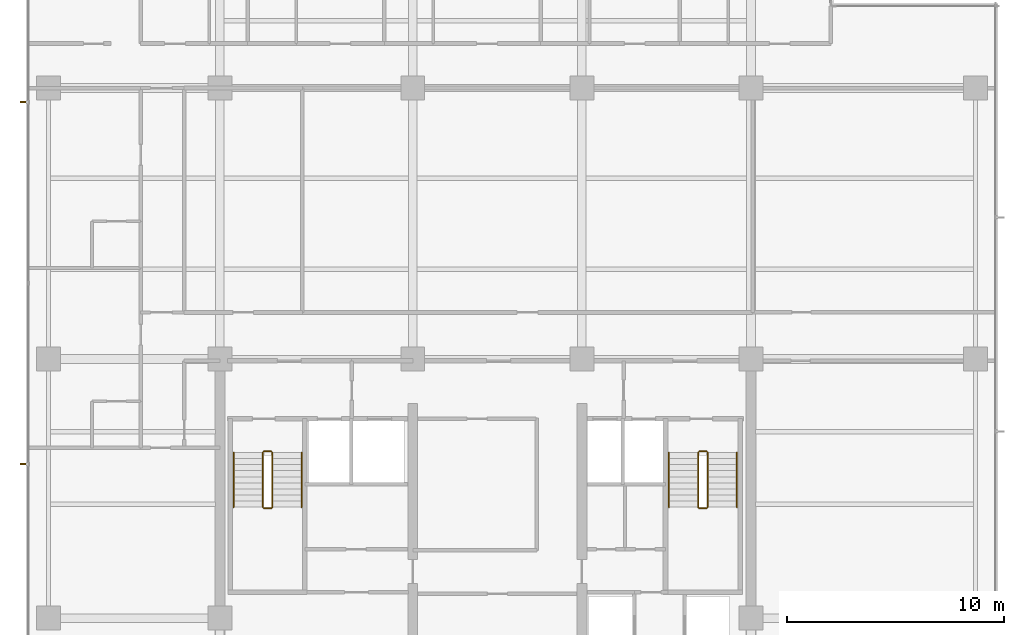
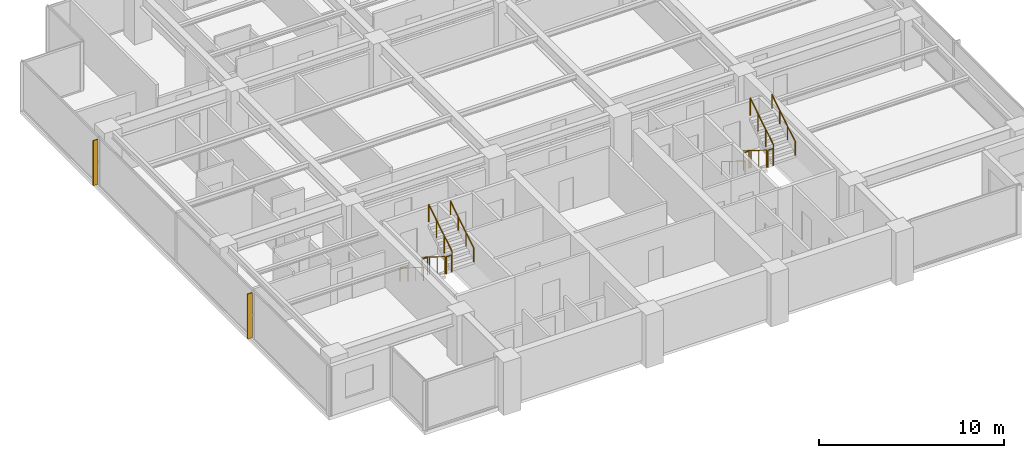
# One storey, part 14 of 15: 12 railings, 2 shading devices.
"""IFC4 building model written with IfcOpenShell, lengths in metres."""

from ifc_helpers import new_model, si_unit, direction, frame, origin, origin_2d, place, context, subcontext, project, spatial, polyline, circle, outline, extrude, material, layer, layer_set, type_object, element, save


model = new_model("IFC4")

# Units and contexts
model_context = context("Model", 3, precision=1e-05, world=origin(), true_north=direction((0.0, 1.0)))
body_context = subcontext(model_context, "Body", "Model", "MODEL_VIEW")
ifc_project = project(units=[si_unit("LENGTHUNIT", "METRE"), si_unit("AREAUNIT", "SQUARE_METRE"), si_unit("VOLUMEUNIT", "CUBIC_METRE"), si_unit("PLANEANGLEUNIT", "RADIAN"), si_unit("MASSUNIT", "GRAM", prefix="KILO")], contexts=[model_context])

# Site, building, storey
site_placement = place(None, origin())
site = spatial("IfcSite", under=ifc_project, at=site_placement, CompositionType="ELEMENT")
building_placement = place(site_placement, origin())
building = spatial("IfcBuilding", under=site, at=building_placement, Name="Qalmaran Belvedere Hotel", CompositionType="ELEMENT")
storey_placement = place(building_placement, frame((0.0, 0.0, 170.10009765625)))
storey = spatial("IfcBuildingStorey", under=building, at=storey_placement, Name="L43", CompositionType="ELEMENT", Elevation=170.10009765625)

# Shading devices
ifc_material_1 = material(Name="Anodised Bronze Aluminium", Category="aluminium")
ifc_layer = layer(ifc_material_1, 0.06494140625, Name="Anodised Bronze Aluminium")
ifc_layer_set = layer_set([ifc_layer], Name="Anodised Bronze Aluminium")
shading_device_type = type_object("IfcShadingDeviceType", Name="FIN-BRNZ-300", PredefinedType="USERDEFINED", material=ifc_layer_set)
shading_device_1_placement = place(storey_placement, frame((0.0, 0.0, 0.159912109375)))
element("IfcShadingDevice", 1, at=shading_device_1_placement, inside=storey, type_object=shading_device_type, Name="L43 Bronze Fin 1", ObjectType="FIN", PredefinedType="USERDEFINED", context=body_context, shape_type="SweptSolid", body=[
    extrude(outline(polyline([(11.3798828125, 32.382568359375), (11.080078125, 32.382568359375), (11.080078125, 32.3173828125), (11.3798828125, 32.3173828125), (11.3798828125, 32.382568359375)])), origin(), (0.0, 0.0, 1.0), 2.969970703125),
])
shading_device_2_placement = place(storey_placement, frame((0.0, 0.0, 0.159912109375)))
element("IfcShadingDevice", 2, at=shading_device_2_placement, inside=storey, type_object=shading_device_type, Name="L43 Bronze Fin 3", ObjectType="FIN", PredefinedType="USERDEFINED", context=body_context, shape_type="SweptSolid", body=[
    extrude(outline(polyline([(11.3798828125, 15.6826171875), (11.080078125, 15.6826171875), (11.080078125, 15.617431640625), (11.3798828125, 15.617431640625), (11.3798828125, 15.6826171875)])), origin(), (0.0, 0.0, 1.0), 2.969970703125),
])

# Railings
ifc_material_2 = material(Name="Stainless Steel 1.4401", Category="steel")
railing_type_1 = type_object("IfcRailingType", Name="RLG-STAIR-GUARD-1150", PredefinedType="GUARDRAIL", material=ifc_material_2)
railing_1_placement = place(storey_placement, frame((22.280029296875, 16.18994140625, 0.1748046875)))
element("IfcRailing", 3, at=railing_1_placement, inside=storey, type_object=railing_type_1, Name="L43 ST-1 stair guard 1", PredefinedType="GUARDRAIL", context=body_context, shape_type="SweptSolid", body=[
    extrude(circle(Radius=0.02392578125, at=origin_2d()), frame((0.0, 0.0, 1.1259765625), z_axis=(0.0, -0.847970611238, 0.530043245855), x_axis=(1.0, 0.0, 0.0)), (0.0, 0.0, 1.0), 2.971923828125),
    extrude(circle(Radius=0.02099609375, at=origin_2d()), origin(), (0.0, 0.0, 1.0), 1.101806640625),
    extrude(circle(Radius=0.02099609375, at=origin_2d()), frame((0.0, -0.840087890625, 0.525146484375)), (0.0, 0.0, 1.0), 1.101806640625),
    extrude(circle(Radius=0.02099609375, at=origin_2d()), frame((0.0, -1.679931640625, 1.050048828125)), (0.0, 0.0, 1.0), 1.101806640625),
    extrude(circle(Radius=0.02099609375, at=origin_2d()), frame((0.0, -2.52001953125, 1.5751953125)), (0.0, 0.0, 1.0), 1.101806640625),
])
railing_2_placement = place(storey_placement, frame((22.330078125, 13.6201171875, 1.75)))
element("IfcRailing", 4, at=railing_2_placement, inside=storey, type_object=railing_type_1, Name="L43 ST-1 stair guard 2", PredefinedType="GUARDRAIL", context=body_context, shape_type="SweptSolid", body=[
    extrude(circle(Radius=0.02392578125, at=origin_2d()), frame((0.0, 0.0, 1.1259765625), z_axis=(1.0, 0.0, 0.0), x_axis=(0.0, 1.0, 0.0)), (0.0, 0.0, 1.0), 0.33984375),
    extrude(circle(Radius=0.02099609375, at=origin_2d()), origin(), (0.0, 0.0, 1.0), 1.101806640625),
    extrude(circle(Radius=0.02099609375, at=origin_2d()), frame((0.33984375, 0.0, 0.0)), (0.0, 0.0, 1.0), 1.101806640625),
])
railing_3_placement = place(storey_placement, frame((22.719970703125, 13.669921875, 1.9248046875)))
element("IfcRailing", 5, at=railing_3_placement, inside=storey, type_object=railing_type_1, Name="L43 ST-1 stair guard 3", PredefinedType="GUARDRAIL", context=body_context, shape_type="SweptSolid", body=[
    extrude(circle(Radius=0.02392578125, at=origin_2d()), frame((0.0, 0.0, 1.1259765625), z_axis=(0.0, 0.847970611238, 0.530043245855), x_axis=(-1.0, 0.0, 0.0)), (0.0, 0.0, 1.0), 2.971923828125),
    extrude(circle(Radius=0.02099609375, at=origin_2d()), origin(), (0.0, 0.0, 1.0), 1.101806640625),
    extrude(circle(Radius=0.02099609375, at=origin_2d()), frame((0.0, 0.840087890625, 0.525146484375)), (0.0, 0.0, 1.0), 1.101806640625),
    extrude(circle(Radius=0.02099609375, at=origin_2d()), frame((0.0, 1.679931640625, 1.050048828125)), (0.0, 0.0, 1.0), 1.101806640625),
    extrude(circle(Radius=0.02099609375, at=origin_2d()), frame((0.0, 2.52001953125, 1.5751953125)), (0.0, 0.0, 1.0), 1.101806640625),
])
railing_4_placement = place(storey_placement, frame((22.330078125, 16.239990234375, 0.0)))
element("IfcRailing", 6, at=railing_4_placement, inside=storey, type_object=railing_type_1, Name="L43 ST-1 stair guard 4", PredefinedType="GUARDRAIL", context=body_context, shape_type="SweptSolid", body=[
    extrude(circle(Radius=0.02392578125, at=origin_2d()), frame((0.0, 0.0, 1.1259765625), z_axis=(1.0, 0.0, 0.0), x_axis=(0.0, 1.0, 0.0)), (0.0, 0.0, 1.0), 0.33984375),
    extrude(circle(Radius=0.02099609375, at=origin_2d()), origin(), (0.0, 0.0, 1.0), 1.101806640625),
    extrude(circle(Radius=0.02099609375, at=origin_2d()), frame((0.33984375, 0.0, 0.0)), (0.0, 0.0, 1.0), 1.101806640625),
])
railing_5_placement = place(storey_placement, frame((42.360107421875, 16.18994140625, 0.1748046875)))
element("IfcRailing", 7, at=railing_5_placement, inside=storey, type_object=railing_type_1, Name="L43 ST-2 stair guard 1", PredefinedType="GUARDRAIL", context=body_context, shape_type="SweptSolid", body=[
    extrude(circle(Radius=0.02392578125, at=origin_2d()), frame((0.0, 0.0, 1.1259765625), z_axis=(0.0, -0.847970611238, 0.530043245855), x_axis=(1.0, 0.0, 0.0)), (0.0, 0.0, 1.0), 2.971923828125),
    extrude(circle(Radius=0.02099609375, at=origin_2d()), origin(), (0.0, 0.0, 1.0), 1.101806640625),
    extrude(circle(Radius=0.02099609375, at=origin_2d()), frame((0.0, -0.840087890625, 0.525146484375)), (0.0, 0.0, 1.0), 1.101806640625),
    extrude(circle(Radius=0.02099609375, at=origin_2d()), frame((0.0, -1.679931640625, 1.050048828125)), (0.0, 0.0, 1.0), 1.101806640625),
    extrude(circle(Radius=0.02099609375, at=origin_2d()), frame((0.0, -2.52001953125, 1.5751953125)), (0.0, 0.0, 1.0), 1.101806640625),
])
railing_6_placement = place(storey_placement, frame((42.409912109375, 13.6201171875, 1.75)))
element("IfcRailing", 8, at=railing_6_placement, inside=storey, type_object=railing_type_1, Name="L43 ST-2 stair guard 2", PredefinedType="GUARDRAIL", context=body_context, shape_type="SweptSolid", body=[
    extrude(circle(Radius=0.02392578125, at=origin_2d()), frame((0.0, 0.0, 1.1259765625), z_axis=(1.0, 0.0, 0.0), x_axis=(0.0, 1.0, 0.0)), (0.0, 0.0, 1.0), 0.340087890625),
    extrude(circle(Radius=0.02099609375, at=origin_2d()), origin(), (0.0, 0.0, 1.0), 1.101806640625),
    extrude(circle(Radius=0.02099609375, at=origin_2d()), frame((0.340087890625, 0.0, 0.0)), (0.0, 0.0, 1.0), 1.101806640625),
])
railing_7_placement = place(storey_placement, frame((42.800048828125, 13.669921875, 1.9248046875)))
element("IfcRailing", 9, at=railing_7_placement, inside=storey, type_object=railing_type_1, Name="L43 ST-2 stair guard 3", PredefinedType="GUARDRAIL", context=body_context, shape_type="SweptSolid", body=[
    extrude(circle(Radius=0.02392578125, at=origin_2d()), frame((0.0, 0.0, 1.1259765625), z_axis=(0.0, 0.847970611238, 0.530043245855), x_axis=(-1.0, 0.0, 0.0)), (0.0, 0.0, 1.0), 2.971923828125),
    extrude(circle(Radius=0.02099609375, at=origin_2d()), origin(), (0.0, 0.0, 1.0), 1.101806640625),
    extrude(circle(Radius=0.02099609375, at=origin_2d()), frame((0.0, 0.840087890625, 0.525146484375)), (0.0, 0.0, 1.0), 1.101806640625),
    extrude(circle(Radius=0.02099609375, at=origin_2d()), frame((0.0, 1.679931640625, 1.050048828125)), (0.0, 0.0, 1.0), 1.101806640625),
    extrude(circle(Radius=0.02099609375, at=origin_2d()), frame((0.0, 2.52001953125, 1.5751953125)), (0.0, 0.0, 1.0), 1.101806640625),
])
railing_8_placement = place(storey_placement, frame((42.409912109375, 16.239990234375, 0.0)))
element("IfcRailing", 10, at=railing_8_placement, inside=storey, type_object=railing_type_1, Name="L43 ST-2 stair guard 4", PredefinedType="GUARDRAIL", context=body_context, shape_type="SweptSolid", body=[
    extrude(circle(Radius=0.02392578125, at=origin_2d()), frame((0.0, 0.0, 1.1259765625), z_axis=(1.0, 0.0, 0.0), x_axis=(0.0, 1.0, 0.0)), (0.0, 0.0, 1.0), 0.340087890625),
    extrude(circle(Radius=0.02099609375, at=origin_2d()), origin(), (0.0, 0.0, 1.0), 1.101806640625),
    extrude(circle(Radius=0.02099609375, at=origin_2d()), frame((0.340087890625, 0.0, 0.0)), (0.0, 0.0, 1.0), 1.101806640625),
])
railing_type_2 = type_object("IfcRailingType", Name="RLG-STAIR-HAND-910", PredefinedType="HANDRAIL", material=ifc_material_2)
railing_9_placement = place(storey_placement, frame((20.929931640625, 16.18994140625, 0.1748046875)))
element("IfcRailing", 11, at=railing_9_placement, inside=storey, type_object=railing_type_2, Name="L43 ST-1 stair handrail 1", PredefinedType="HANDRAIL", context=body_context, shape_type="SweptSolid", body=[
    extrude(circle(Radius=0.02392578125, at=origin_2d()), frame((0.0, 0.0, 0.8857421875), z_axis=(0.0, -0.847970611238, 0.530043245855), x_axis=(1.0, 0.0, 0.0)), (0.0, 0.0, 1.0), 2.971923828125),
    extrude(circle(Radius=0.02099609375, at=origin_2d()), origin(), (0.0, 0.0, 1.0), 0.86181640625),
    extrude(circle(Radius=0.02099609375, at=origin_2d()), frame((0.0, -0.840087890625, 0.525146484375)), (0.0, 0.0, 1.0), 0.86181640625),
    extrude(circle(Radius=0.02099609375, at=origin_2d()), frame((0.0, -1.679931640625, 1.050048828125)), (0.0, 0.0, 1.0), 0.86181640625),
    extrude(circle(Radius=0.02099609375, at=origin_2d()), frame((0.0, -2.52001953125, 1.5751953125)), (0.0, 0.0, 1.0), 0.86181640625),
])
railing_10_placement = place(storey_placement, frame((24.070068359375, 13.669921875, 1.9248046875)))
element("IfcRailing", 12, at=railing_10_placement, inside=storey, type_object=railing_type_2, Name="L43 ST-1 stair handrail 2", PredefinedType="HANDRAIL", context=body_context, shape_type="SweptSolid", body=[
    extrude(circle(Radius=0.02392578125, at=origin_2d()), frame((0.0, 0.0, 0.8857421875), z_axis=(0.0, 0.847970611238, 0.530043245855), x_axis=(-1.0, 0.0, 0.0)), (0.0, 0.0, 1.0), 2.971923828125),
    extrude(circle(Radius=0.02099609375, at=origin_2d()), origin(), (0.0, 0.0, 1.0), 0.86181640625),
    extrude(circle(Radius=0.02099609375, at=origin_2d()), frame((0.0, 0.840087890625, 0.525146484375)), (0.0, 0.0, 1.0), 0.86181640625),
    extrude(circle(Radius=0.02099609375, at=origin_2d()), frame((0.0, 1.679931640625, 1.050048828125)), (0.0, 0.0, 1.0), 0.86181640625),
    extrude(circle(Radius=0.02099609375, at=origin_2d()), frame((0.0, 2.52001953125, 1.5751953125)), (0.0, 0.0, 1.0), 0.86181640625),
])
railing_11_placement = place(storey_placement, frame((41.010009765625, 16.18994140625, 0.1748046875)))
element("IfcRailing", 13, at=railing_11_placement, inside=storey, type_object=railing_type_2, Name="L43 ST-2 stair handrail 1", PredefinedType="HANDRAIL", context=body_context, shape_type="SweptSolid", body=[
    extrude(circle(Radius=0.02392578125, at=origin_2d()), frame((0.0, 0.0, 0.8857421875), z_axis=(0.0, -0.847970611238, 0.530043245855), x_axis=(1.0, 0.0, 0.0)), (0.0, 0.0, 1.0), 2.971923828125),
    extrude(circle(Radius=0.02099609375, at=origin_2d()), origin(), (0.0, 0.0, 1.0), 0.86181640625),
    extrude(circle(Radius=0.02099609375, at=origin_2d()), frame((0.0, -0.840087890625, 0.525146484375)), (0.0, 0.0, 1.0), 0.86181640625),
    extrude(circle(Radius=0.02099609375, at=origin_2d()), frame((0.0, -1.679931640625, 1.050048828125)), (0.0, 0.0, 1.0), 0.86181640625),
    extrude(circle(Radius=0.02099609375, at=origin_2d()), frame((0.0, -2.52001953125, 1.5751953125)), (0.0, 0.0, 1.0), 0.86181640625),
])
railing_12_placement = place(storey_placement, frame((44.14990234375, 13.669921875, 1.9248046875)))
element("IfcRailing", 14, at=railing_12_placement, inside=storey, type_object=railing_type_2, Name="L43 ST-2 stair handrail 2", PredefinedType="HANDRAIL", context=body_context, shape_type="SweptSolid", body=[
    extrude(circle(Radius=0.02392578125, at=origin_2d()), frame((0.0, 0.0, 0.8857421875), z_axis=(0.0, 0.847970611238, 0.530043245855), x_axis=(-1.0, 0.0, 0.0)), (0.0, 0.0, 1.0), 2.971923828125),
    extrude(circle(Radius=0.02099609375, at=origin_2d()), origin(), (0.0, 0.0, 1.0), 0.86181640625),
    extrude(circle(Radius=0.02099609375, at=origin_2d()), frame((0.0, 0.840087890625, 0.525146484375)), (0.0, 0.0, 1.0), 0.86181640625),
    extrude(circle(Radius=0.02099609375, at=origin_2d()), frame((0.0, 1.679931640625, 1.050048828125)), (0.0, 0.0, 1.0), 0.86181640625),
    extrude(circle(Radius=0.02099609375, at=origin_2d()), frame((0.0, 2.52001953125, 1.5751953125)), (0.0, 0.0, 1.0), 0.86181640625),
])

save(model, "model.ifc")
